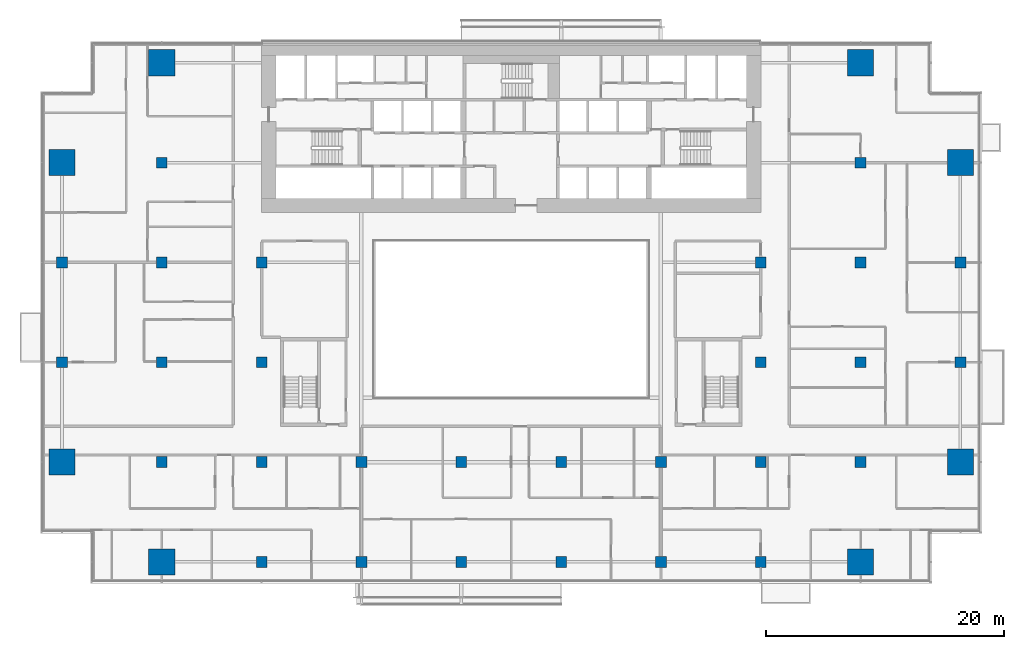
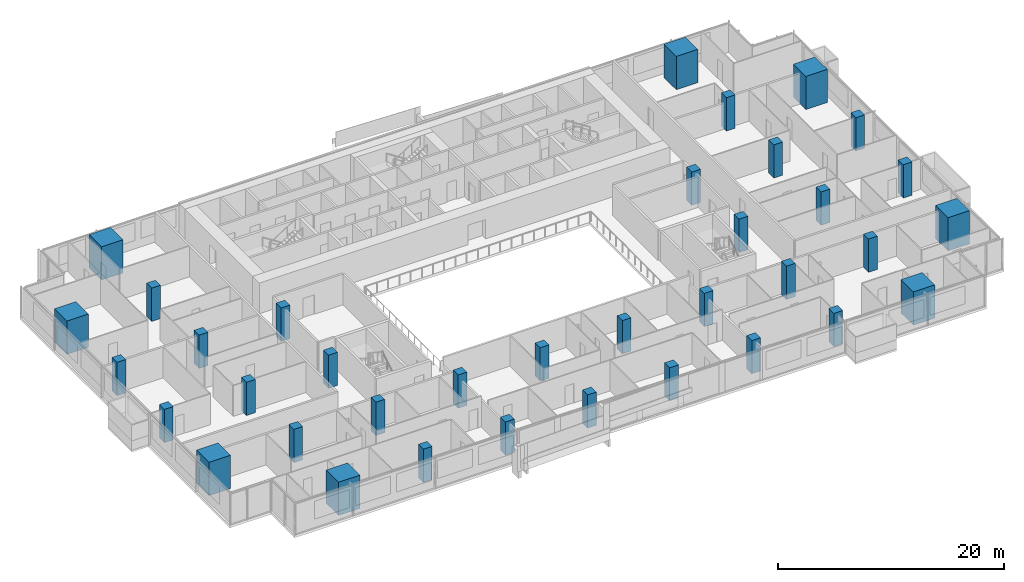
# One storey, part 1 of 26: 36 columns.
"""IFC4 building model written with IfcOpenShell, lengths in metres."""

import ifcopenshell
import ifcopenshell.guid

model = None  # the IFC model being written
_history = None  # IfcOwnerHistory: only IFC2X3 demands one
_inside = {}  # id of a spatial element -> (the spatial element, [elements in it])
_under = {}  # id of a project, library or spatial element -> (it, [spatial elements below it])
_declared = {}  # id of a project -> (the project, [libraries it declares])
_typed = {}  # id of a type object -> (the type object, [elements of that type])
_made_of = {}  # id of a material, layer set ... -> (it, [elements and type objects made of it])


def new_model(schema):
    """Start an empty IFC model of exactly this schema.

    Asked for "IFC4X3", IfcOpenShell would pick the latest addendum, in which some entities
    have other attributes; the version numbers below select the first issue.
    IFC2X3 requires an IfcOwnerHistory on every rooted entity: one is made here for all.
    """
    global model, _history
    if schema == "IFC4X3":
        model = ifcopenshell.file(schema_version=(4, 3, 0, 0))
    else:
        model = ifcopenshell.file(schema=schema)
    _inside.clear()
    _under.clear()
    _declared.clear()
    _typed.clear()
    _made_of.clear()
    _history = None
    if model.schema == "IFC2X3":
        org = make("IfcOrganization", Name="unknown")
        user = make(
            "IfcPersonAndOrganization",
            ThePerson=make("IfcPerson", FamilyName="unknown"),
            TheOrganization=org,
        )
        app = make(
            "IfcApplication",
            ApplicationDeveloper=org,
            Version="unknown",
            ApplicationFullName="unknown",
            ApplicationIdentifier="unknown",
        )
        _history = make(
            "IfcOwnerHistory",
            OwningUser=user,
            OwningApplication=app,
            ChangeAction="ADDED",
            CreationDate=0,
        )
    return model


def make(cls, **values):
    """One entity of the class cls with the attributes given. An attribute that is None is left unset."""
    return model.create_entity(
        cls, **{name: value for name, value in values.items() if value is not None}
    )


def rooted(cls, **values):
    """An entity with a GlobalId (a new one), such as an element, a storey or a relation."""
    return make(cls, GlobalId=ifcopenshell.guid.new(), OwnerHistory=_history, **values)


def si_unit(unit_type, name, prefix=None):
    """IfcSIUnit, for example si_unit("LENGTHUNIT", "METRE", prefix="MILLI")."""
    return make("IfcSIUnit", UnitType=unit_type, Prefix=prefix, Name=name)


def assignment(units):
    """IfcUnitAssignment: the units of a project."""
    return None if units is None else make("IfcUnitAssignment", Units=units)


def point(xyz):
    """IfcCartesianPoint."""
    return None if xyz is None else make("IfcCartesianPoint", Coordinates=xyz)


def direction(xyz):
    """IfcDirection."""
    return None if xyz is None else make("IfcDirection", DirectionRatios=xyz)


def frame(location, z_axis=None, x_axis=None):
    """IfcAxis2Placement3D, a coordinate frame: its origin and axes. An axis left out is left unset."""
    return make(
        "IfcAxis2Placement3D",
        Location=point(location),
        Axis=direction(z_axis),
        RefDirection=direction(x_axis),
    )


def frame_2d(location, x_axis=None):
    """IfcAxis2Placement2D, a coordinate frame in the plane: its origin and x axis."""
    return make(
        "IfcAxis2Placement2D", Location=point(location), RefDirection=direction(x_axis)
    )


def origin():
    """The frame at (0, 0, 0) with its axes left unset."""
    return frame((0.0, 0.0, 0.0))


def origin_2d():
    """The frame at (0, 0) in the plane with its x axis left unset."""
    return frame_2d((0.0, 0.0))


def place(relative_to, where):
    """IfcLocalPlacement: puts the frame where relative to a parent placement (None: the world)."""
    return make(
        "IfcLocalPlacement", PlacementRelTo=relative_to, RelativePlacement=where
    )


def context(
    kind, dimensions, precision=None, world=None, true_north=None, identifier=None
):
    """IfcGeometricRepresentationContext, for example the 3D "Model" context."""
    return make(
        "IfcGeometricRepresentationContext",
        ContextIdentifier=identifier,
        ContextType=kind,
        CoordinateSpaceDimension=dimensions,
        Precision=precision,
        WorldCoordinateSystem=world,
        TrueNorth=true_north,
    )


def subcontext(parent, identifier, kind, view, scale=None):
    """IfcGeometricRepresentationSubContext, for example "Body" below "Model"."""
    return make(
        "IfcGeometricRepresentationSubContext",
        ContextIdentifier=identifier,
        ContextType=kind,
        ParentContext=parent,
        TargetScale=scale,
        TargetView=view,
    )


def project(units=None, contexts=None):
    """IfcProject with its units and contexts."""
    return rooted(
        "IfcProject",
        Name="project",
        RepresentationContexts=contexts,
        UnitsInContext=assignment(units),
    )


def spatial(cls, under=None, at=None, **own):
    """A site, building, storey or space (cls), placed at a placement, below another one or the project."""
    s = rooted(cls, ObjectPlacement=at, **own)
    if under is not None:
        _under.setdefault(under.id(), (under, []))[1].append(s)
    return s


def profile(cls, at=None, kind="AREA", **sizes):
    """A parametric profile (cls). Its sizes go by their IFC names, for example OverallWidth=200.0."""
    return make(cls, ProfileType=kind, Position=at, **sizes)


def rectangle(**sizes):
    """IfcRectangleProfileDef."""
    return profile("IfcRectangleProfileDef", **sizes)


def extrude(swept, where, along, depth):
    """IfcExtrudedAreaSolid: the profile swept, set in the frame where, extruded along a direction by depth."""
    return make(
        "IfcExtrudedAreaSolid",
        SweptArea=swept,
        Position=where,
        ExtrudedDirection=direction(along),
        Depth=depth,
    )


def shape(context_of_items, identifier, shape_type, items):
    """IfcShapeRepresentation: the items that make up one representation, for example the "Body"."""
    return make(
        "IfcShapeRepresentation",
        ContextOfItems=context_of_items,
        RepresentationIdentifier=identifier,
        RepresentationType=shape_type,
        Items=items,
    )


def material(Name=None, Category=None):
    """IfcMaterial."""
    return make("IfcMaterial", Name=Name, Category=Category)


def material_profile(
    of_material, cross_section, Name=None, Category=None, Priority=None
):
    """IfcMaterialProfile: a cross section and its material."""
    return make(
        "IfcMaterialProfile",
        Name=Name,
        Material=of_material,
        Profile=cross_section,
        Priority=Priority,
        Category=Category,
    )


def profile_set(profiles, Name=None, composite=None):
    """IfcMaterialProfileSet."""
    return make(
        "IfcMaterialProfileSet",
        Name=Name,
        MaterialProfiles=profiles,
        CompositeProfile=composite,
    )


def made_of(thing, what):
    """Note that an element or type object is made of a material, layer set ...; save() writes the relation."""
    if what is not None:
        _made_of.setdefault(what.id(), (what, []))[1].append(thing)
    return thing


def type_object(cls, material=None, **own):
    """A type object (cls), such as IfcWallType, which elements share."""
    return made_of(rooted(cls, **own), material)


def element(
    cls,
    number,
    at=None,
    inside=None,
    cuts=None,
    type_object=None,
    material=None,
    context=None,
    identifier="Body",
    shape_type=None,
    held_by="IfcProductDefinitionShape",
    body=None,
    shapes=None,
    **own,
):
    """One element of the class cls, such as IfcWall. Its Tag is "e" and its number.

    at: its placement. inside: the storey or other place that contains it. cuts: it is an
    opening in that element (IfcRelVoidsElement). A single representation is given by context,
    identifier, shape_type and body (its items); several are given by shapes. held_by: the class
    of the entity that holds the representations. save() writes the other relations.
    """
    e = rooted(cls, Tag="e%d" % number, ObjectPlacement=at, **own)
    if body is not None:
        shapes = [shape(context, identifier, shape_type, body)]
    if shapes is not None:
        e.Representation = make(held_by, Representations=shapes)
    if inside is not None:
        _inside.setdefault(inside.id(), (inside, []))[1].append(e)
    if cuts is not None:
        rooted(
            "IfcRelVoidsElement", RelatingBuildingElement=cuts, RelatedOpeningElement=e
        )
    if type_object is not None:
        _typed.setdefault(type_object.id(), (type_object, []))[1].append(e)
    return made_of(e, material)


def aggregate(whole, parts):
    """IfcRelAggregates: a whole, such as a stair, and the parts it consists of."""
    return rooted("IfcRelAggregates", RelatingObject=whole, RelatedObjects=parts)


def save(model, path):
    """Write the relations noted so far, then the file.

    IfcRelAggregates (storeys below a building ...), IfcRelContainedInSpatialStructure (elements
    in a storey), IfcRelDefinesByType, IfcRelAssociatesMaterial and IfcRelDeclares: one each for
    every whole, place, type object, material and project.
    """
    for whole, parts in _under.values():
        aggregate(whole, parts)
    for where, things in _inside.values():
        rooted(
            "IfcRelContainedInSpatialStructure",
            RelatedElements=things,
            RelatingStructure=where,
        )
    for kind, things in _typed.values():
        rooted("IfcRelDefinesByType", RelatedObjects=things, RelatingType=kind)
    for what, things in _made_of.values():
        rooted("IfcRelAssociatesMaterial", RelatedObjects=things, RelatingMaterial=what)
    for by, libraries in _declared.values():
        rooted("IfcRelDeclares", RelatingContext=by, RelatedDefinitions=libraries)
    model.write(path)


model = new_model("IFC4")

# Units and contexts
model_context = context("Model", 3, precision=1e-05, world=origin(), true_north=direction((0.0, 1.0)))
body_context = subcontext(model_context, "Body", "Model", "MODEL_VIEW")
ifc_project = project(units=[si_unit("LENGTHUNIT", "METRE"), si_unit("AREAUNIT", "SQUARE_METRE"), si_unit("VOLUMEUNIT", "CUBIC_METRE"), si_unit("PLANEANGLEUNIT", "RADIAN"), si_unit("MASSUNIT", "GRAM", prefix="KILO")], contexts=[model_context])

# Site, building, storey
site_placement = place(None, origin())
site = spatial("IfcSite", under=ifc_project, at=site_placement, CompositionType="ELEMENT")
building_placement = place(site_placement, origin())
building = spatial("IfcBuilding", under=site, at=building_placement, Name="Saffron Gate Tower", CompositionType="ELEMENT")
storey_placement = place(building_placement, frame((0.0, 0.0, 62.39990234375)))
storey = spatial("IfcBuildingStorey", under=building, at=storey_placement, Name="L14", CompositionType="ELEMENT", Elevation=62.39990234375)

# Columns
ifc_material_1 = material(Name="Concrete C60", Category="concrete")
ifc_material_profile_1 = material_profile(ifc_material_1, rectangle(XDim=0.89990234375, YDim=0.89990234375, at=origin_2d()))
ifc_profile_set_1 = profile_set([ifc_material_profile_1], Name="Concrete C60")
column_type_1 = type_object("IfcColumnType", Name="C6 RC 900x900 CONCRETE C60", PredefinedType="COLUMN", material=ifc_profile_set_1)
for number, where, z_axis, x_axis, name in (
    (1, (49.800048828125, 48.60009765625, 0.0), (0.0, 0.0, 1.0), (1.0, 0.0, 0.0), "C6 COLUMN X1-C"),
    (2, (49.800048828125, 57.0, 0.0), (0.0, 0.0, 1.0), (1.0, 0.0, 0.0), "C6 COLUMN X1-D"),
    (3, (58.199951171875, 40.199951171875, 0.0), (0.0, 0.0, 1.0), (1.0, 0.0, 0.0), "C6 COLUMN X2-B"),
    (4, (58.199951171875, 48.60009765625, 0.0), (0.0, 0.0, 1.0), (1.0, 0.0, 0.0), "C6 COLUMN X2-C"),
    (5, (58.199951171875, 57.0, 0.0), (0.0, 0.0, 1.0), (1.0, 0.0, 0.0), "C6 COLUMN X2-D"),
    (6, (58.199951171875, 65.39990234375, 0.0), (0.0, 0.0, 1.0), (1.0, 0.0, 0.0), "C6 COLUMN X2-E"),
    (7, (66.60009765625, 31.800048828125, 0.0), (0.0, 0.0, 1.0), (1.0, 0.0, 0.0), "C6 COLUMN X3-A"),
    (8, (66.60009765625, 40.199951171875, 0.0), (0.0, 0.0, 1.0), (1.0, 0.0, 0.0), "C6 COLUMN X3-B"),
    (9, (66.60009765625, 48.60009765625, 0.0), (0.0, 0.0, 1.0), (1.0, 0.0, 0.0), "C6 COLUMN X3-C"),
    (10, (66.60009765625, 57.0, 0.0), (0.0, 0.0, 1.0), (1.0, 0.0, 0.0), "C6 COLUMN X3-D"),
    (11, (75.0, 31.800048828125, 0.0), (0.0, 0.0, 1.0), (1.0, 0.0, 0.0), "C6 COLUMN X4-A"),
    (12, (75.0, 40.199951171875, 0.0), (0.0, 0.0, 1.0), (1.0, 0.0, 0.0), "C6 COLUMN X4-B"),
    (13, (83.39990234375, 31.800048828125, 0.0), (0.0, 0.0, 1.0), (1.0, 0.0, 0.0), "C6 COLUMN X5-A"),
    (14, (83.39990234375, 40.199951171875, 0.0), (0.0, 0.0, 1.0), (1.0, 0.0, 0.0), "C6 COLUMN X5-B"),
    (15, (91.800048828125, 31.800048828125, 0.0), (0.0, 0.0, 1.0), (1.0, 0.0, 0.0), "C6 COLUMN X6-A"),
    (16, (91.800048828125, 40.199951171875, 0.0), (0.0, 0.0, 1.0), (1.0, 0.0, 0.0), "C6 COLUMN X6-B"),
    (17, (100.199951171875, 31.800048828125, 0.0), (0.0, 0.0, 1.0), (1.0, 0.0, 0.0), "C6 COLUMN X7-A"),
    (18, (100.199951171875, 40.199951171875, 0.0), (0.0, 0.0, 1.0), (1.0, 0.0, 0.0), "C6 COLUMN X7-B"),
    (19, (108.60009765625, 31.800048828125, 0.0), (0.0, 0.0, 1.0), (1.0, 0.0, 0.0), "C6 COLUMN X8-A"),
    (20, (108.60009765625, 40.199951171875, 0.0), (0.0, 0.0, 1.0), (1.0, 0.0, 0.0), "C6 COLUMN X8-B"),
    (21, (108.60009765625, 48.60009765625, 0.0), (0.0, 0.0, 1.0), (1.0, 0.0, 0.0), "C6 COLUMN X8-C"),
    (22, (108.60009765625, 57.0, 0.0), (0.0, 0.0, 1.0), (1.0, 0.0, 0.0), "C6 COLUMN X8-D"),
    (23, (117.0, 40.199951171875, 0.0), (0.0, 0.0, 1.0), (1.0, 0.0, 0.0), "C6 COLUMN X9-B"),
    (24, (117.0, 48.60009765625, 0.0), (0.0, 0.0, 1.0), (1.0, 0.0, 0.0), "C6 COLUMN X9-C"),
    (25, (117.0, 57.0, 0.0), (0.0, 0.0, 1.0), (1.0, 0.0, 0.0), "C6 COLUMN X9-D"),
    (26, (117.0, 65.39990234375, 0.0), (0.0, 0.0, 1.0), (1.0, 0.0, 0.0), "C6 COLUMN X9-E"),
    (27, (125.39990234375, 48.60009765625, 0.0), (0.0, 0.0, 1.0), (1.0, 0.0, 0.0), "C6 COLUMN X10-C"),
    (28, (125.39990234375, 57.0, 0.0), (0.0, 0.0, 1.0), (1.0, 0.0, 0.0), "C6 COLUMN X10-D"),
):
    element("IfcColumn", number, at=place(storey_placement, frame(where, z_axis=z_axis, x_axis=x_axis)), inside=storey, type_object=column_type_1, Name=name, PredefinedType="COLUMN", context=body_context, shape_type="SweptSolid", body=[
        extrude(rectangle(XDim=0.89990234375, YDim=0.89990234375, at=origin_2d()), origin(), (0.0, 0.0, 1.0), 3.60009765625),
    ])
ifc_material_2 = material(Name="Concrete C80", Category="concrete")
ifc_material_profile_2 = material_profile(ifc_material_2, rectangle(XDim=2.199951171875, YDim=2.199951171875, at=origin_2d()))
ifc_profile_set_2 = profile_set([ifc_material_profile_2], Name="Concrete C80")
column_type_2 = type_object("IfcColumnType", Name="MC4 RC 2200x2200 CONCRETE C80", PredefinedType="COLUMN", material=ifc_profile_set_2)
for number, where, z_axis, x_axis, name in (
    (29, (49.800048828125, 40.199951171875, 0.0), (0.0, 0.0, 1.0), (1.0, 0.0, 0.0), "MC4 MEGA COLUMN X1-B"),
    (30, (49.800048828125, 65.39990234375, 0.0), (0.0, 0.0, 1.0), (1.0, 0.0, 0.0), "MC4 MEGA COLUMN X1-E"),
    (31, (58.199951171875, 31.800048828125, 0.0), (0.0, 0.0, 1.0), (1.0, 0.0, 0.0), "MC4 MEGA COLUMN X2-A"),
    (32, (58.199951171875, 73.800048828125, 0.0), (0.0, 0.0, 1.0), (1.0, 0.0, 0.0), "MC4 MEGA COLUMN X2-F"),
    (33, (117.0, 31.800048828125, 0.0), (0.0, 0.0, 1.0), (1.0, 0.0, 0.0), "MC4 MEGA COLUMN X9-A"),
    (34, (117.0, 73.800048828125, 0.0), (0.0, 0.0, 1.0), (1.0, 0.0, 0.0), "MC4 MEGA COLUMN X9-F"),
    (35, (125.39990234375, 40.199951171875, 0.0), (0.0, 0.0, 1.0), (1.0, 0.0, 0.0), "MC4 MEGA COLUMN X10-B"),
    (36, (125.39990234375, 65.39990234375, 0.0), (0.0, 0.0, 1.0), (1.0, 0.0, 0.0), "MC4 MEGA COLUMN X10-E"),
):
    element("IfcColumn", number, at=place(storey_placement, frame(where, z_axis=z_axis, x_axis=x_axis)), inside=storey, type_object=column_type_2, Name=name, PredefinedType="COLUMN", context=body_context, shape_type="SweptSolid", body=[
        extrude(rectangle(XDim=2.199951171875, YDim=2.199951171875, at=origin_2d()), origin(), (0.0, 0.0, 1.0), 3.60009765625),
    ])

save(model, "model.ifc")
